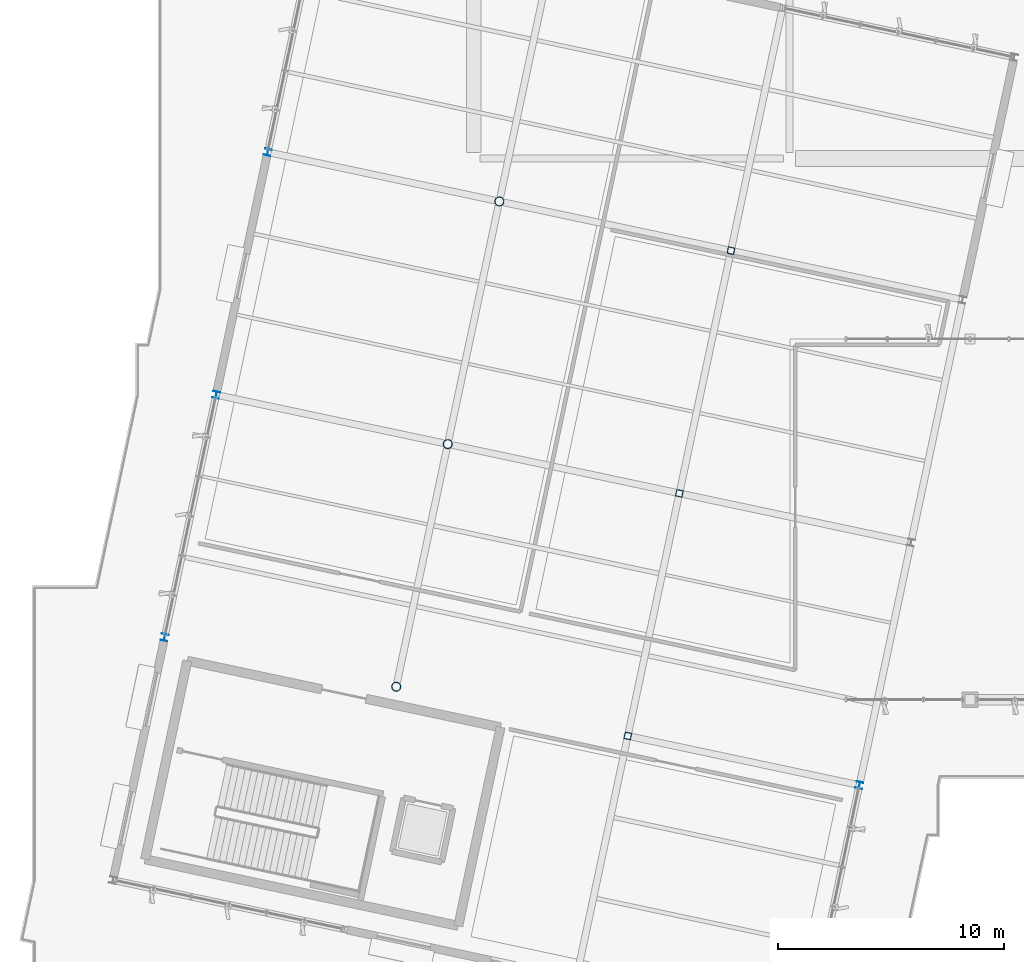
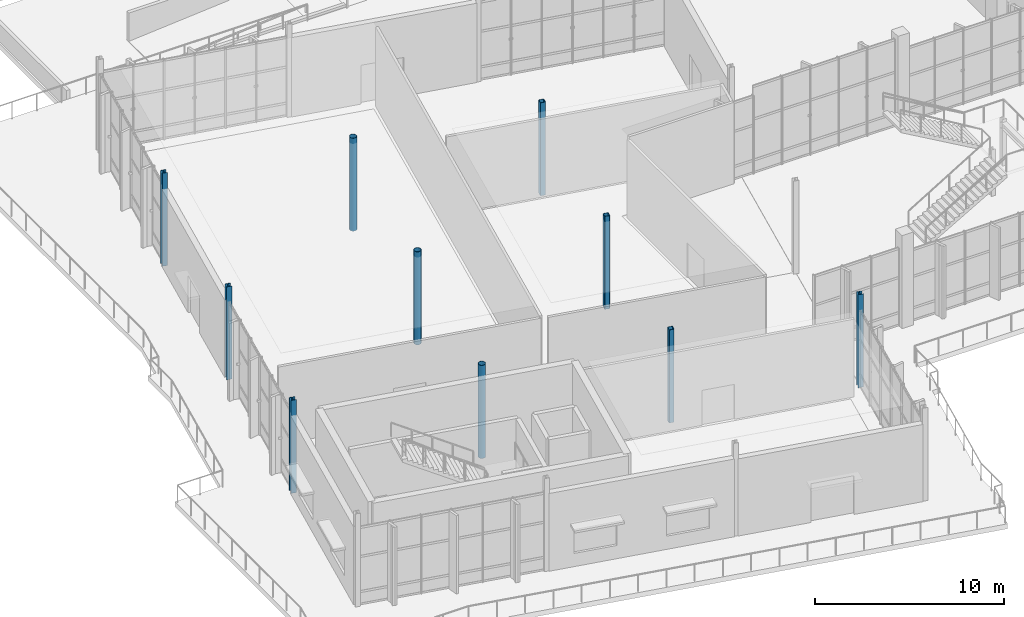
# One storey, part 7 of 163: 10 columns.
"""IFC4 building model written with IfcOpenShell, lengths in metres."""

from ifc_helpers import new_model, si_unit, direction, frame, origin, origin_2d, place, context, subcontext, project, spatial, hollow_rectangle, hollow_circle, i_section, extrude, material, material_profile, profile_set, type_object, element, save


model = new_model("IFC4")

# Units and contexts
model_context = context("Model", 3, precision=1e-05, world=origin(), true_north=direction((0.0, 1.0)))
body_context = subcontext(model_context, "Body", "Model", "MODEL_VIEW")
ifc_project = project(units=[si_unit("LENGTHUNIT", "METRE"), si_unit("AREAUNIT", "SQUARE_METRE"), si_unit("VOLUMEUNIT", "CUBIC_METRE"), si_unit("PLANEANGLEUNIT", "RADIAN"), si_unit("MASSUNIT", "GRAM", prefix="KILO")], contexts=[model_context])

# Site, building, storey
site_placement = place(None, origin())
site = spatial("IfcSite", under=ifc_project, at=site_placement, CompositionType="ELEMENT")
building_placement = place(site_placement, origin())
building = spatial("IfcBuilding", under=site, at=building_placement, Name="Khorjan Park Terminus", CompositionType="ELEMENT")
storey_placement = place(building_placement, origin())
storey = spatial("IfcBuildingStorey", under=building, at=storey_placement, Name="L00", CompositionType="ELEMENT", Elevation=0.0)

# Columns
ifc_material = material(Name="Steel S355", Category="steel")
ifc_material_profile_1 = material_profile(ifc_material, i_section(OverallWidth=0.3, OverallDepth=0.3, WebThickness=0.011, FlangeThickness=0.019, FilletRadius=0.027, at=origin_2d()), Name="HEB 300")
ifc_profile_set_1 = profile_set([ifc_material_profile_1], Name="Steel S355")
column_type_1 = type_object("IfcColumnType", Name="COL-HB300E", PredefinedType="COLUMN", material=ifc_profile_set_1)
for number, where, z_axis, x_axis, name in (
    (1, (-3.713, 52.76, 0.0), (0.0, 0.0, 1.0), (0.978147600734, -0.207911690818, 0.0), "Structural column SC-H30 (L00 #600)"),
    (2, (-1.426, 63.519, 0.0), (0.0, 0.0, 1.0), (0.978147600734, -0.207911690818, 0.0), "Structural column SC-H30 (L00 #603)"),
    (3, (0.861, 74.279, 0.0), (0.0, 0.0, 1.0), (0.978147600734, -0.207911690818, 0.0), "Structural column SC-H30 (L00 #606)"),
    (4, (27.099, 46.21, 0.0), (0.0, 0.0, 1.0), (0.978147600734, -0.207911690818, 0.0), "Structural column SC-H30 (L00 #642)"),
):
    element("IfcColumn", number, at=place(storey_placement, frame(where, z_axis=z_axis, x_axis=x_axis)), inside=storey, type_object=column_type_1, Name=name, PredefinedType="COLUMN", context=body_context, shape_type="SweptSolid", body=[
        extrude(i_section(OverallWidth=0.3, OverallDepth=0.3, WebThickness=0.011, FlangeThickness=0.019, FilletRadius=0.027, at=origin_2d()), origin(), (0.0, 0.0, 1.0), 6.0),
    ])
ifc_material_profile_2 = material_profile(ifc_material, hollow_circle(Radius=0.2032, WallThickness=0.016, at=origin_2d()), Name="CHS 406.4x16")
ifc_profile_set_2 = profile_set([ifc_material_profile_2], Name="Steel S355")
column_type_2 = type_object("IfcColumnType", Name="COL-SH406", PredefinedType="COLUMN", material=ifc_profile_set_2)
for number, where, z_axis, x_axis, name in (
    (5, (6.558, 50.577, 0.0), (0.0, 0.0, 1.0), (0.978147600734, -0.207911690818, 0.0), "Structural column SC-41 (L00 #614)"),
    (6, (8.845, 61.336, 0.0), (0.0, 0.0, 1.0), (0.978147600734, -0.207911690818, 0.0), "Structural column SC-41 (L00 #617)"),
    (7, (11.132, 72.096, 0.0), (0.0, 0.0, 1.0), (0.978147600734, -0.207911690818, 0.0), "Structural column SC-41 (L00 #620)"),
):
    element("IfcColumn", number, at=place(storey_placement, frame(where, z_axis=z_axis, x_axis=x_axis)), inside=storey, type_object=column_type_2, Name=name, PredefinedType="COLUMN", context=body_context, shape_type="SweptSolid", body=[
        extrude(hollow_circle(Radius=0.2032, WallThickness=0.016, at=origin_2d()), origin(), (0.0, 0.0, 1.0), 6.0),
    ])
ifc_material_profile_3 = material_profile(ifc_material, hollow_rectangle(XDim=0.3, YDim=0.3, WallThickness=0.016, InnerFilletRadius=0.016, OuterFilletRadius=0.032, at=origin_2d()), Name="SHS 300x300x16")
ifc_profile_set_3 = profile_set([ifc_material_profile_3], Name="Steel S355")
column_type_3 = type_object("IfcColumnType", Name="COL-SHS300", PredefinedType="COLUMN", material=ifc_profile_set_3)
for number, where, z_axis, x_axis, name in (
    (8, (16.828, 48.394, 0.0), (0.0, 0.0, 1.0), (0.978147600734, -0.207911690818, 0.0), "Structural column SC-S30 (L00 #628)"),
    (9, (19.115, 59.153, 0.0), (0.0, 0.0, 1.0), (0.978147600734, -0.207911690818, 0.0), "Structural column SC-S30 (L00 #631)"),
    (10, (21.402, 69.913, 0.0), (0.0, 0.0, 1.0), (0.978147600734, -0.207911690818, 0.0), "Structural column SC-S30 (L00 #634)"),
):
    element("IfcColumn", number, at=place(storey_placement, frame(where, z_axis=z_axis, x_axis=x_axis)), inside=storey, type_object=column_type_3, Name=name, PredefinedType="COLUMN", context=body_context, shape_type="SweptSolid", body=[
        extrude(hollow_rectangle(XDim=0.3, YDim=0.3, WallThickness=0.016, InnerFilletRadius=0.016, OuterFilletRadius=0.032, at=origin_2d()), origin(), (0.0, 0.0, 1.0), 6.0),
    ])

save(model, "model.ifc")
